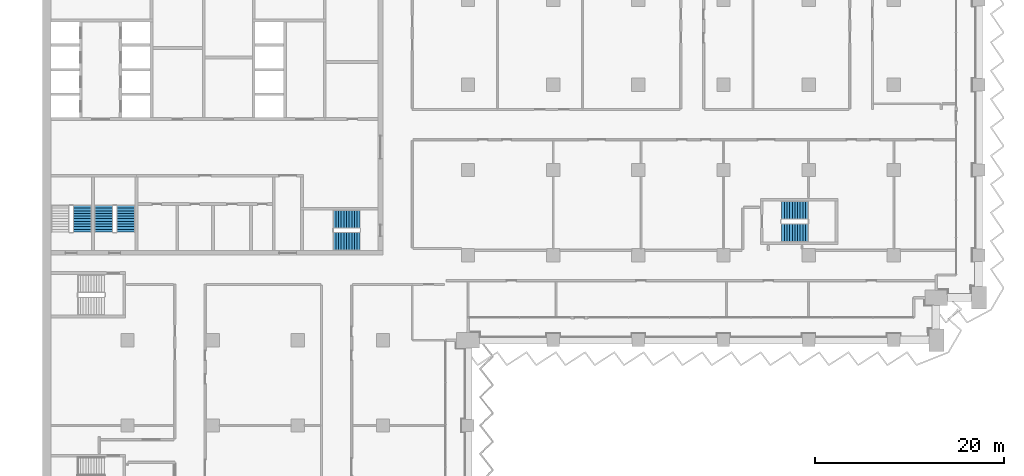
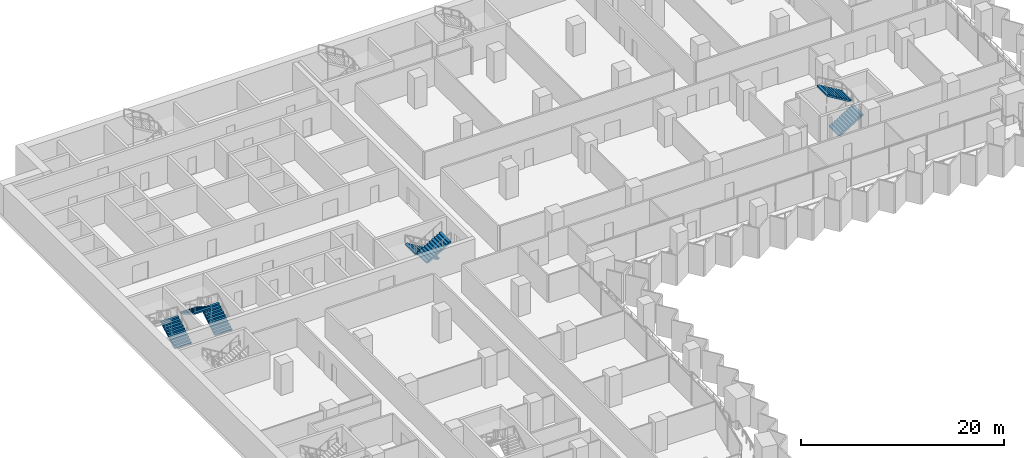
# One storey, part 21 of 29: 7 stair flights, 4 elements without a shape of their own.
"""IFC4 building model written with IfcOpenShell, lengths in metres."""

from ifc_helpers import new_model, si_unit, direction, frame, origin, place, context, subcontext, project, spatial, polyline, outline, extrude, material, type_object, element, aggregate, save


model = new_model("IFC4")

# Units and contexts
model_context = context("Model", 3, precision=1e-05, world=origin(), true_north=direction((0.0, 1.0)))
body_context = subcontext(model_context, "Body", "Model", "MODEL_VIEW")
ifc_project = project(units=[si_unit("LENGTHUNIT", "METRE"), si_unit("AREAUNIT", "SQUARE_METRE"), si_unit("VOLUMEUNIT", "CUBIC_METRE"), si_unit("PLANEANGLEUNIT", "RADIAN"), si_unit("MASSUNIT", "GRAM", prefix="KILO")], contexts=[model_context])

# Site, building, storey
site_placement = place(None, origin())
site = spatial("IfcSite", under=ifc_project, at=site_placement, CompositionType="ELEMENT")
building_placement = place(site_placement, origin())
building = spatial("IfcBuilding", under=site, at=building_placement, Name="Hunhe Ridgeline Campus", CompositionType="ELEMENT")
storey_placement = place(building_placement, frame((0.0, 0.0, 69.10009765625)))
storey = spatial("IfcBuildingStorey", under=building, at=storey_placement, Name="L16", CompositionType="ELEMENT", Elevation=69.10009765625)

# Stair, stair flights
ifc_material = material(Name="Concrete C40", Category="concrete")
stair_type = type_object("IfcStairType", Name="Reinforced concrete dog-leg stair 1950 Concrete C40", PredefinedType="HALF_TURN_STAIR", material=ifc_material)
stair_1_placement = place(storey_placement, origin())
stair_1 = element("IfcStair", 1, at=stair_1_placement, inside=storey, type_object=stair_type, Name="L16 S2", PredefinedType="HALF_TURN_STAIR")
stair_flight_type = type_object("IfcStairFlightType", Name="Reinforced concrete stair flight 1950 Concrete C40", PredefinedType="STRAIGHT", material=ifc_material)
stair_flight_1_placement = place(storey_placement, frame((33.550048828125, 66.77490234375, 0.0), z_axis=(0.0, 0.0, 1.0), x_axis=(-1.0, 0.0, 0.0)))
stair_flight_1 = element("IfcStairFlight", 2, at=stair_flight_1_placement, type_object=stair_flight_type, Name="ST2 flight 1", NumberOfRisers=11, NumberOfTreads=10, PredefinedType="STRAIGHT", RiserHeight=0.168181818, TreadLength=0.28, context=body_context, shape_type="SweptSolid", body=[
    extrude(outline(polyline([(0.0, 0.0), (0.0, 0.168212890625), (0.280029296875, 0.168212890625), (0.280029296875, 0.33642578125), (0.56005859375, 0.33642578125), (0.56005859375, 0.504638671875), (0.840087890625, 0.504638671875), (0.840087890625, 0.672607421875), (1.1201171875, 0.672607421875), (1.1201171875, 0.8408203125), (1.39990234375, 0.8408203125), (1.39990234375, 1.009033203125), (1.679931640625, 1.009033203125), (1.679931640625, 1.17724609375), (1.9599609375, 1.17724609375), (1.9599609375, 1.345458984375), (2.239990234375, 1.345458984375), (2.239990234375, 1.513671875), (2.52001953125, 1.513671875), (2.52001953125, 1.681884765625), (2.800048828125, 1.681884765625), (2.800048828125, 1.85009765625), (2.800048828125, 1.5068359375), (0.291015625, 0.0), (0.0, 0.0)])), frame((0.0, 0.97509765625, 0.0), z_axis=(0.0, -1.0, 0.0), x_axis=(1.0, 0.0, 0.0)), (0.0, 0.0, 1.0), 1.949951171875),
    extrude(outline(polyline([(0.030029296875, 0.030029296875), (0.030029296875, 0.13818359375), (0.31005859375, 0.13818359375), (0.31005859375, 0.306396484375), (0.590087890625, 0.306396484375), (0.590087890625, 0.474609375), (0.8701171875, 0.474609375), (0.8701171875, 0.642578125), (1.14990234375, 0.642578125), (1.14990234375, 0.810791015625), (1.429931640625, 0.810791015625), (1.429931640625, 0.97900390625), (1.7099609375, 0.97900390625), (1.7099609375, 1.147216796875), (1.989990234375, 1.147216796875), (1.989990234375, 1.3154296875), (2.27001953125, 1.3154296875), (2.27001953125, 1.483642578125), (2.550048828125, 1.483642578125), (2.550048828125, 1.65185546875), (2.77001953125, 1.65185546875), (2.77001953125, 1.52392578125), (0.28271484375, 0.030029296875), (0.030029296875, 0.030029296875)])), frame((0.0, -0.070068359375, 0.0), z_axis=(0.0, -1.0, 0.0), x_axis=(1.0, 0.0, 0.0)), (0.0, 0.0, 1.0), 0.019775390625),
    extrude(outline(polyline([(0.030029296875, 0.030029296875), (0.030029296875, 0.13818359375), (0.31005859375, 0.13818359375), (0.31005859375, 0.306396484375), (0.590087890625, 0.306396484375), (0.590087890625, 0.474609375), (0.8701171875, 0.474609375), (0.8701171875, 0.642578125), (1.14990234375, 0.642578125), (1.14990234375, 0.810791015625), (1.429931640625, 0.810791015625), (1.429931640625, 0.97900390625), (1.7099609375, 0.97900390625), (1.7099609375, 1.147216796875), (1.989990234375, 1.147216796875), (1.989990234375, 1.3154296875), (2.27001953125, 1.3154296875), (2.27001953125, 1.483642578125), (2.550048828125, 1.483642578125), (2.550048828125, 1.65185546875), (2.77001953125, 1.65185546875), (2.77001953125, 1.52392578125), (0.28271484375, 0.030029296875), (0.030029296875, 0.030029296875)])), frame((0.0, 0.010009765625, 0.0), z_axis=(0.0, -1.0, 0.0), x_axis=(1.0, 0.0, 0.0)), (0.0, 0.0, 1.0), 0.019775390625),
    extrude(outline(polyline([(0.030029296875, 0.030029296875), (0.030029296875, 0.13818359375), (0.31005859375, 0.13818359375), (0.31005859375, 0.306396484375), (0.590087890625, 0.306396484375), (0.590087890625, 0.474609375), (0.8701171875, 0.474609375), (0.8701171875, 0.642578125), (1.14990234375, 0.642578125), (1.14990234375, 0.810791015625), (1.429931640625, 0.810791015625), (1.429931640625, 0.97900390625), (1.7099609375, 0.97900390625), (1.7099609375, 1.147216796875), (1.989990234375, 1.147216796875), (1.989990234375, 1.3154296875), (2.27001953125, 1.3154296875), (2.27001953125, 1.483642578125), (2.550048828125, 1.483642578125), (2.550048828125, 1.65185546875), (2.77001953125, 1.65185546875), (2.77001953125, 1.52392578125), (0.28271484375, 0.030029296875), (0.030029296875, 0.030029296875)])), frame((0.0, 0.090087890625, 0.0), z_axis=(0.0, -1.0, 0.0), x_axis=(1.0, 0.0, 0.0)), (0.0, 0.0, 1.0), 0.019775390625),
])
stair_flight_2_placement = place(storey_placement, frame((30.75, 64.47509765625, 1.849853515625), z_axis=(0.0, 0.0, 1.0), x_axis=(1.0, 0.0, 0.0)))
stair_flight_2 = element("IfcStairFlight", 3, at=stair_flight_2_placement, type_object=stair_flight_type, Name="ST2 flight 2", NumberOfRisers=11, NumberOfTreads=10, PredefinedType="STRAIGHT", RiserHeight=0.168181818, TreadLength=0.28, context=body_context, shape_type="SweptSolid", body=[
    extrude(outline(polyline([(0.0, 0.0), (0.0, 0.168212890625), (0.280029296875, 0.168212890625), (0.280029296875, 0.33642578125), (0.56005859375, 0.33642578125), (0.56005859375, 0.504638671875), (0.840087890625, 0.504638671875), (0.840087890625, 0.672607421875), (1.1201171875, 0.672607421875), (1.1201171875, 0.8408203125), (1.39990234375, 0.8408203125), (1.39990234375, 1.009033203125), (1.679931640625, 1.009033203125), (1.679931640625, 1.17724609375), (1.9599609375, 1.17724609375), (1.9599609375, 1.345458984375), (2.239990234375, 1.345458984375), (2.239990234375, 1.513671875), (2.52001953125, 1.513671875), (2.52001953125, 1.681884765625), (2.800048828125, 1.681884765625), (2.800048828125, 1.85009765625), (2.800048828125, 1.5068359375), (0.291015625, 0.0), (0.0, 0.0)])), frame((0.0, 0.97509765625, 0.0), z_axis=(0.0, -1.0, 0.0), x_axis=(1.0, 0.0, 0.0)), (0.0, 0.0, 1.0), 1.949951171875),
    extrude(outline(polyline([(0.030029296875, 0.030029296875), (0.030029296875, 0.13818359375), (0.31005859375, 0.13818359375), (0.31005859375, 0.306396484375), (0.590087890625, 0.306396484375), (0.590087890625, 0.474609375), (0.8701171875, 0.474609375), (0.8701171875, 0.642578125), (1.14990234375, 0.642578125), (1.14990234375, 0.810791015625), (1.429931640625, 0.810791015625), (1.429931640625, 0.97900390625), (1.7099609375, 0.97900390625), (1.7099609375, 1.147216796875), (1.989990234375, 1.147216796875), (1.989990234375, 1.3154296875), (2.27001953125, 1.3154296875), (2.27001953125, 1.483642578125), (2.550048828125, 1.483642578125), (2.550048828125, 1.65185546875), (2.77001953125, 1.65185546875), (2.77001953125, 1.52392578125), (0.28271484375, 0.030029296875), (0.030029296875, 0.030029296875)])), frame((0.0, -0.070068359375, 0.0), z_axis=(0.0, -1.0, 0.0), x_axis=(1.0, 0.0, 0.0)), (0.0, 0.0, 1.0), 0.019775390625),
    extrude(outline(polyline([(0.030029296875, 0.030029296875), (0.030029296875, 0.13818359375), (0.31005859375, 0.13818359375), (0.31005859375, 0.306396484375), (0.590087890625, 0.306396484375), (0.590087890625, 0.474609375), (0.8701171875, 0.474609375), (0.8701171875, 0.642578125), (1.14990234375, 0.642578125), (1.14990234375, 0.810791015625), (1.429931640625, 0.810791015625), (1.429931640625, 0.97900390625), (1.7099609375, 0.97900390625), (1.7099609375, 1.147216796875), (1.989990234375, 1.147216796875), (1.989990234375, 1.3154296875), (2.27001953125, 1.3154296875), (2.27001953125, 1.483642578125), (2.550048828125, 1.483642578125), (2.550048828125, 1.65185546875), (2.77001953125, 1.65185546875), (2.77001953125, 1.52392578125), (0.28271484375, 0.030029296875), (0.030029296875, 0.030029296875)])), frame((0.0, 0.010009765625, 0.0), z_axis=(0.0, -1.0, 0.0), x_axis=(1.0, 0.0, 0.0)), (0.0, 0.0, 1.0), 0.019775390625),
    extrude(outline(polyline([(0.030029296875, 0.030029296875), (0.030029296875, 0.13818359375), (0.31005859375, 0.13818359375), (0.31005859375, 0.306396484375), (0.590087890625, 0.306396484375), (0.590087890625, 0.474609375), (0.8701171875, 0.474609375), (0.8701171875, 0.642578125), (1.14990234375, 0.642578125), (1.14990234375, 0.810791015625), (1.429931640625, 0.810791015625), (1.429931640625, 0.97900390625), (1.7099609375, 0.97900390625), (1.7099609375, 1.147216796875), (1.989990234375, 1.147216796875), (1.989990234375, 1.3154296875), (2.27001953125, 1.3154296875), (2.27001953125, 1.483642578125), (2.550048828125, 1.483642578125), (2.550048828125, 1.65185546875), (2.77001953125, 1.65185546875), (2.77001953125, 1.52392578125), (0.28271484375, 0.030029296875), (0.030029296875, 0.030029296875)])), frame((0.0, 0.090087890625, 0.0), z_axis=(0.0, -1.0, 0.0), x_axis=(1.0, 0.0, 0.0)), (0.0, 0.0, 1.0), 0.019775390625),
])
aggregate(stair_1, [stair_flight_1, stair_flight_2])

# Stair, stair flight
stair_2_placement = place(storey_placement, origin())
stair_2 = element("IfcStair", 4, at=stair_2_placement, inside=storey, type_object=stair_type, Name="L16 S3", PredefinedType="HALF_TURN_STAIR")
stair_flight_3_placement = place(storey_placement, frame((4.22509765625, 65.449951171875, 0.0), z_axis=(0.0, 0.0, 1.0), x_axis=(0.0, 1.0, 0.0)))
stair_flight_3 = element("IfcStairFlight", 5, at=stair_flight_3_placement, type_object=stair_flight_type, Name="ST3 flight 1", NumberOfRisers=11, NumberOfTreads=10, PredefinedType="STRAIGHT", RiserHeight=0.168181818, TreadLength=0.28, context=body_context, shape_type="SweptSolid", body=[
    extrude(outline(polyline([(0.0, 0.0), (0.0, 0.168212890625), (0.280029296875, 0.168212890625), (0.280029296875, 0.33642578125), (0.56005859375, 0.33642578125), (0.56005859375, 0.504638671875), (0.840087890625, 0.504638671875), (0.840087890625, 0.672607421875), (1.1201171875, 0.672607421875), (1.1201171875, 0.8408203125), (1.39990234375, 0.8408203125), (1.39990234375, 1.009033203125), (1.679931640625, 1.009033203125), (1.679931640625, 1.17724609375), (1.9599609375, 1.17724609375), (1.9599609375, 1.345458984375), (2.239990234375, 1.345458984375), (2.239990234375, 1.513671875), (2.52001953125, 1.513671875), (2.52001953125, 1.681884765625), (2.800048828125, 1.681884765625), (2.800048828125, 1.85009765625), (2.800048828125, 1.5068359375), (0.291015625, 0.0), (0.0, 0.0)])), frame((0.0, 0.97509765625, 0.0), z_axis=(0.0, -1.0, 0.0), x_axis=(1.0, 0.0, 0.0)), (0.0, 0.0, 1.0), 1.949951171875),
    extrude(outline(polyline([(0.030029296875, 0.030029296875), (0.030029296875, 0.13818359375), (0.31005859375, 0.13818359375), (0.31005859375, 0.306396484375), (0.590087890625, 0.306396484375), (0.590087890625, 0.474609375), (0.8701171875, 0.474609375), (0.8701171875, 0.642578125), (1.14990234375, 0.642578125), (1.14990234375, 0.810791015625), (1.429931640625, 0.810791015625), (1.429931640625, 0.97900390625), (1.7099609375, 0.97900390625), (1.7099609375, 1.147216796875), (1.989990234375, 1.147216796875), (1.989990234375, 1.3154296875), (2.27001953125, 1.3154296875), (2.27001953125, 1.483642578125), (2.550048828125, 1.483642578125), (2.550048828125, 1.65185546875), (2.77001953125, 1.65185546875), (2.77001953125, 1.52392578125), (0.28271484375, 0.030029296875), (0.030029296875, 0.030029296875)])), frame((0.0, -0.070068359375, 0.0), z_axis=(0.0, -1.0, 0.0), x_axis=(1.0, 0.0, 0.0)), (0.0, 0.0, 1.0), 0.019775390625),
    extrude(outline(polyline([(0.030029296875, 0.030029296875), (0.030029296875, 0.13818359375), (0.31005859375, 0.13818359375), (0.31005859375, 0.306396484375), (0.590087890625, 0.306396484375), (0.590087890625, 0.474609375), (0.8701171875, 0.474609375), (0.8701171875, 0.642578125), (1.14990234375, 0.642578125), (1.14990234375, 0.810791015625), (1.429931640625, 0.810791015625), (1.429931640625, 0.97900390625), (1.7099609375, 0.97900390625), (1.7099609375, 1.147216796875), (1.989990234375, 1.147216796875), (1.989990234375, 1.3154296875), (2.27001953125, 1.3154296875), (2.27001953125, 1.483642578125), (2.550048828125, 1.483642578125), (2.550048828125, 1.65185546875), (2.77001953125, 1.65185546875), (2.77001953125, 1.52392578125), (0.28271484375, 0.030029296875), (0.030029296875, 0.030029296875)])), frame((0.0, 0.010009765625, 0.0), z_axis=(0.0, -1.0, 0.0), x_axis=(1.0, 0.0, 0.0)), (0.0, 0.0, 1.0), 0.019775390625),
    extrude(outline(polyline([(0.030029296875, 0.030029296875), (0.030029296875, 0.13818359375), (0.31005859375, 0.13818359375), (0.31005859375, 0.306396484375), (0.590087890625, 0.306396484375), (0.590087890625, 0.474609375), (0.8701171875, 0.474609375), (0.8701171875, 0.642578125), (1.14990234375, 0.642578125), (1.14990234375, 0.810791015625), (1.429931640625, 0.810791015625), (1.429931640625, 0.97900390625), (1.7099609375, 0.97900390625), (1.7099609375, 1.147216796875), (1.989990234375, 1.147216796875), (1.989990234375, 1.3154296875), (2.27001953125, 1.3154296875), (2.27001953125, 1.483642578125), (2.550048828125, 1.483642578125), (2.550048828125, 1.65185546875), (2.77001953125, 1.65185546875), (2.77001953125, 1.52392578125), (0.28271484375, 0.030029296875), (0.030029296875, 0.030029296875)])), frame((0.0, 0.090087890625, 0.0), z_axis=(0.0, -1.0, 0.0), x_axis=(1.0, 0.0, 0.0)), (0.0, 0.0, 1.0), 0.019775390625),
])
aggregate(stair_2, [stair_flight_3])

# Stair, stair flights
stair_3_placement = place(storey_placement, origin())
stair_3 = element("IfcStair", 6, at=stair_3_placement, inside=storey, type_object=stair_type, Name="L16 S4", PredefinedType="HALF_TURN_STAIR")
stair_flight_4_placement = place(storey_placement, frame((8.824951171875, 65.449951171875, 0.0), z_axis=(0.0, 0.0, 1.0), x_axis=(0.0, 1.0, 0.0)))
stair_flight_4 = element("IfcStairFlight", 7, at=stair_flight_4_placement, type_object=stair_flight_type, Name="ST4 flight 1", NumberOfRisers=11, NumberOfTreads=10, PredefinedType="STRAIGHT", RiserHeight=0.168181818, TreadLength=0.28, context=body_context, shape_type="SweptSolid", body=[
    extrude(outline(polyline([(0.0, 0.0), (0.0, 0.168212890625), (0.280029296875, 0.168212890625), (0.280029296875, 0.33642578125), (0.56005859375, 0.33642578125), (0.56005859375, 0.504638671875), (0.840087890625, 0.504638671875), (0.840087890625, 0.672607421875), (1.1201171875, 0.672607421875), (1.1201171875, 0.8408203125), (1.39990234375, 0.8408203125), (1.39990234375, 1.009033203125), (1.679931640625, 1.009033203125), (1.679931640625, 1.17724609375), (1.9599609375, 1.17724609375), (1.9599609375, 1.345458984375), (2.239990234375, 1.345458984375), (2.239990234375, 1.513671875), (2.52001953125, 1.513671875), (2.52001953125, 1.681884765625), (2.800048828125, 1.681884765625), (2.800048828125, 1.85009765625), (2.800048828125, 1.5068359375), (0.291015625, 0.0), (0.0, 0.0)])), frame((0.0, 0.97509765625, 0.0), z_axis=(0.0, -1.0, 0.0), x_axis=(1.0, 0.0, 0.0)), (0.0, 0.0, 1.0), 1.949951171875),
    extrude(outline(polyline([(0.030029296875, 0.030029296875), (0.030029296875, 0.13818359375), (0.31005859375, 0.13818359375), (0.31005859375, 0.306396484375), (0.590087890625, 0.306396484375), (0.590087890625, 0.474609375), (0.8701171875, 0.474609375), (0.8701171875, 0.642578125), (1.14990234375, 0.642578125), (1.14990234375, 0.810791015625), (1.429931640625, 0.810791015625), (1.429931640625, 0.97900390625), (1.7099609375, 0.97900390625), (1.7099609375, 1.147216796875), (1.989990234375, 1.147216796875), (1.989990234375, 1.3154296875), (2.27001953125, 1.3154296875), (2.27001953125, 1.483642578125), (2.550048828125, 1.483642578125), (2.550048828125, 1.65185546875), (2.77001953125, 1.65185546875), (2.77001953125, 1.52392578125), (0.28271484375, 0.030029296875), (0.030029296875, 0.030029296875)])), frame((0.0, -0.070068359375, 0.0), z_axis=(0.0, -1.0, 0.0), x_axis=(1.0, 0.0, 0.0)), (0.0, 0.0, 1.0), 0.019775390625),
    extrude(outline(polyline([(0.030029296875, 0.030029296875), (0.030029296875, 0.13818359375), (0.31005859375, 0.13818359375), (0.31005859375, 0.306396484375), (0.590087890625, 0.306396484375), (0.590087890625, 0.474609375), (0.8701171875, 0.474609375), (0.8701171875, 0.642578125), (1.14990234375, 0.642578125), (1.14990234375, 0.810791015625), (1.429931640625, 0.810791015625), (1.429931640625, 0.97900390625), (1.7099609375, 0.97900390625), (1.7099609375, 1.147216796875), (1.989990234375, 1.147216796875), (1.989990234375, 1.3154296875), (2.27001953125, 1.3154296875), (2.27001953125, 1.483642578125), (2.550048828125, 1.483642578125), (2.550048828125, 1.65185546875), (2.77001953125, 1.65185546875), (2.77001953125, 1.52392578125), (0.28271484375, 0.030029296875), (0.030029296875, 0.030029296875)])), frame((0.0, 0.010009765625, 0.0), z_axis=(0.0, -1.0, 0.0), x_axis=(1.0, 0.0, 0.0)), (0.0, 0.0, 1.0), 0.019775390625),
    extrude(outline(polyline([(0.030029296875, 0.030029296875), (0.030029296875, 0.13818359375), (0.31005859375, 0.13818359375), (0.31005859375, 0.306396484375), (0.590087890625, 0.306396484375), (0.590087890625, 0.474609375), (0.8701171875, 0.474609375), (0.8701171875, 0.642578125), (1.14990234375, 0.642578125), (1.14990234375, 0.810791015625), (1.429931640625, 0.810791015625), (1.429931640625, 0.97900390625), (1.7099609375, 0.97900390625), (1.7099609375, 1.147216796875), (1.989990234375, 1.147216796875), (1.989990234375, 1.3154296875), (2.27001953125, 1.3154296875), (2.27001953125, 1.483642578125), (2.550048828125, 1.483642578125), (2.550048828125, 1.65185546875), (2.77001953125, 1.65185546875), (2.77001953125, 1.52392578125), (0.28271484375, 0.030029296875), (0.030029296875, 0.030029296875)])), frame((0.0, 0.090087890625, 0.0), z_axis=(0.0, -1.0, 0.0), x_axis=(1.0, 0.0, 0.0)), (0.0, 0.0, 1.0), 0.019775390625),
])
stair_flight_5_placement = place(storey_placement, frame((6.47509765625, 68.25, 1.849853515625), z_axis=(0.0, 0.0, 1.0), x_axis=(0.0, -1.0, 0.0)))
stair_flight_5 = element("IfcStairFlight", 8, at=stair_flight_5_placement, type_object=stair_flight_type, Name="ST4 flight 2", NumberOfRisers=11, NumberOfTreads=10, PredefinedType="STRAIGHT", RiserHeight=0.168181818, TreadLength=0.28, context=body_context, shape_type="SweptSolid", body=[
    extrude(outline(polyline([(0.0, 0.0), (0.0, 0.168212890625), (0.280029296875, 0.168212890625), (0.280029296875, 0.33642578125), (0.56005859375, 0.33642578125), (0.56005859375, 0.504638671875), (0.840087890625, 0.504638671875), (0.840087890625, 0.672607421875), (1.1201171875, 0.672607421875), (1.1201171875, 0.8408203125), (1.39990234375, 0.8408203125), (1.39990234375, 1.009033203125), (1.679931640625, 1.009033203125), (1.679931640625, 1.17724609375), (1.9599609375, 1.17724609375), (1.9599609375, 1.345458984375), (2.239990234375, 1.345458984375), (2.239990234375, 1.513671875), (2.52001953125, 1.513671875), (2.52001953125, 1.681884765625), (2.800048828125, 1.681884765625), (2.800048828125, 1.85009765625), (2.800048828125, 1.5068359375), (0.291015625, 0.0), (0.0, 0.0)])), frame((0.0, 0.97509765625, 0.0), z_axis=(0.0, -1.0, 0.0), x_axis=(1.0, 0.0, 0.0)), (0.0, 0.0, 1.0), 1.949951171875),
    extrude(outline(polyline([(0.030029296875, 0.030029296875), (0.030029296875, 0.13818359375), (0.31005859375, 0.13818359375), (0.31005859375, 0.306396484375), (0.590087890625, 0.306396484375), (0.590087890625, 0.474609375), (0.8701171875, 0.474609375), (0.8701171875, 0.642578125), (1.14990234375, 0.642578125), (1.14990234375, 0.810791015625), (1.429931640625, 0.810791015625), (1.429931640625, 0.97900390625), (1.7099609375, 0.97900390625), (1.7099609375, 1.147216796875), (1.989990234375, 1.147216796875), (1.989990234375, 1.3154296875), (2.27001953125, 1.3154296875), (2.27001953125, 1.483642578125), (2.550048828125, 1.483642578125), (2.550048828125, 1.65185546875), (2.77001953125, 1.65185546875), (2.77001953125, 1.52392578125), (0.28271484375, 0.030029296875), (0.030029296875, 0.030029296875)])), frame((0.0, -0.070068359375, 0.0), z_axis=(0.0, -1.0, 0.0), x_axis=(1.0, 0.0, 0.0)), (0.0, 0.0, 1.0), 0.019775390625),
    extrude(outline(polyline([(0.030029296875, 0.030029296875), (0.030029296875, 0.13818359375), (0.31005859375, 0.13818359375), (0.31005859375, 0.306396484375), (0.590087890625, 0.306396484375), (0.590087890625, 0.474609375), (0.8701171875, 0.474609375), (0.8701171875, 0.642578125), (1.14990234375, 0.642578125), (1.14990234375, 0.810791015625), (1.429931640625, 0.810791015625), (1.429931640625, 0.97900390625), (1.7099609375, 0.97900390625), (1.7099609375, 1.147216796875), (1.989990234375, 1.147216796875), (1.989990234375, 1.3154296875), (2.27001953125, 1.3154296875), (2.27001953125, 1.483642578125), (2.550048828125, 1.483642578125), (2.550048828125, 1.65185546875), (2.77001953125, 1.65185546875), (2.77001953125, 1.52392578125), (0.28271484375, 0.030029296875), (0.030029296875, 0.030029296875)])), frame((0.0, 0.010009765625, 0.0), z_axis=(0.0, -1.0, 0.0), x_axis=(1.0, 0.0, 0.0)), (0.0, 0.0, 1.0), 0.019775390625),
    extrude(outline(polyline([(0.030029296875, 0.030029296875), (0.030029296875, 0.13818359375), (0.31005859375, 0.13818359375), (0.31005859375, 0.306396484375), (0.590087890625, 0.306396484375), (0.590087890625, 0.474609375), (0.8701171875, 0.474609375), (0.8701171875, 0.642578125), (1.14990234375, 0.642578125), (1.14990234375, 0.810791015625), (1.429931640625, 0.810791015625), (1.429931640625, 0.97900390625), (1.7099609375, 0.97900390625), (1.7099609375, 1.147216796875), (1.989990234375, 1.147216796875), (1.989990234375, 1.3154296875), (2.27001953125, 1.3154296875), (2.27001953125, 1.483642578125), (2.550048828125, 1.483642578125), (2.550048828125, 1.65185546875), (2.77001953125, 1.65185546875), (2.77001953125, 1.52392578125), (0.28271484375, 0.030029296875), (0.030029296875, 0.030029296875)])), frame((0.0, 0.090087890625, 0.0), z_axis=(0.0, -1.0, 0.0), x_axis=(1.0, 0.0, 0.0)), (0.0, 0.0, 1.0), 0.019775390625),
])
aggregate(stair_3, [stair_flight_4, stair_flight_5])

stair_4_placement = place(storey_placement, origin())
stair_4 = element("IfcStair", 9, at=stair_4_placement, inside=storey, type_object=stair_type, Name="L16 E5", PredefinedType="HALF_TURN_STAIR")
stair_flight_6_placement = place(storey_placement, frame((78.14990234375, 65.375, 0.0), z_axis=(0.0, 0.0, 1.0), x_axis=(1.0, 0.0, 0.0)))
stair_flight_6 = element("IfcStairFlight", 10, at=stair_flight_6_placement, type_object=stair_flight_type, Name="ST10 flight 1", NumberOfRisers=11, NumberOfTreads=10, PredefinedType="STRAIGHT", RiserHeight=0.168181818, TreadLength=0.28, context=body_context, shape_type="SweptSolid", body=[
    extrude(outline(polyline([(0.0, 0.0), (0.0, 0.168212890625), (0.280029296875, 0.168212890625), (0.280029296875, 0.33642578125), (0.56005859375, 0.33642578125), (0.56005859375, 0.504638671875), (0.840087890625, 0.504638671875), (0.840087890625, 0.672607421875), (1.1201171875, 0.672607421875), (1.1201171875, 0.8408203125), (1.39990234375, 0.8408203125), (1.39990234375, 1.009033203125), (1.679931640625, 1.009033203125), (1.679931640625, 1.17724609375), (1.9599609375, 1.17724609375), (1.9599609375, 1.345458984375), (2.239990234375, 1.345458984375), (2.239990234375, 1.513671875), (2.52001953125, 1.513671875), (2.52001953125, 1.681884765625), (2.800048828125, 1.681884765625), (2.800048828125, 1.85009765625), (2.800048828125, 1.5068359375), (0.291015625, 0.0), (0.0, 0.0)])), frame((0.0, 0.97509765625, 0.0), z_axis=(0.0, -1.0, 0.0), x_axis=(1.0, 0.0, 0.0)), (0.0, 0.0, 1.0), 1.949951171875),
    extrude(outline(polyline([(0.030029296875, 0.030029296875), (0.030029296875, 0.13818359375), (0.31005859375, 0.13818359375), (0.31005859375, 0.306396484375), (0.590087890625, 0.306396484375), (0.590087890625, 0.474609375), (0.8701171875, 0.474609375), (0.8701171875, 0.642578125), (1.14990234375, 0.642578125), (1.14990234375, 0.810791015625), (1.429931640625, 0.810791015625), (1.429931640625, 0.97900390625), (1.7099609375, 0.97900390625), (1.7099609375, 1.147216796875), (1.989990234375, 1.147216796875), (1.989990234375, 1.3154296875), (2.27001953125, 1.3154296875), (2.27001953125, 1.483642578125), (2.550048828125, 1.483642578125), (2.550048828125, 1.65185546875), (2.77001953125, 1.65185546875), (2.77001953125, 1.52392578125), (0.28271484375, 0.030029296875), (0.030029296875, 0.030029296875)])), frame((0.0, -0.070068359375, 0.0), z_axis=(0.0, -1.0, 0.0), x_axis=(1.0, 0.0, 0.0)), (0.0, 0.0, 1.0), 0.019775390625),
    extrude(outline(polyline([(0.030029296875, 0.030029296875), (0.030029296875, 0.13818359375), (0.31005859375, 0.13818359375), (0.31005859375, 0.306396484375), (0.590087890625, 0.306396484375), (0.590087890625, 0.474609375), (0.8701171875, 0.474609375), (0.8701171875, 0.642578125), (1.14990234375, 0.642578125), (1.14990234375, 0.810791015625), (1.429931640625, 0.810791015625), (1.429931640625, 0.97900390625), (1.7099609375, 0.97900390625), (1.7099609375, 1.147216796875), (1.989990234375, 1.147216796875), (1.989990234375, 1.3154296875), (2.27001953125, 1.3154296875), (2.27001953125, 1.483642578125), (2.550048828125, 1.483642578125), (2.550048828125, 1.65185546875), (2.77001953125, 1.65185546875), (2.77001953125, 1.52392578125), (0.28271484375, 0.030029296875), (0.030029296875, 0.030029296875)])), frame((0.0, 0.010009765625, 0.0), z_axis=(0.0, -1.0, 0.0), x_axis=(1.0, 0.0, 0.0)), (0.0, 0.0, 1.0), 0.019775390625),
    extrude(outline(polyline([(0.030029296875, 0.030029296875), (0.030029296875, 0.13818359375), (0.31005859375, 0.13818359375), (0.31005859375, 0.306396484375), (0.590087890625, 0.306396484375), (0.590087890625, 0.474609375), (0.8701171875, 0.474609375), (0.8701171875, 0.642578125), (1.14990234375, 0.642578125), (1.14990234375, 0.810791015625), (1.429931640625, 0.810791015625), (1.429931640625, 0.97900390625), (1.7099609375, 0.97900390625), (1.7099609375, 1.147216796875), (1.989990234375, 1.147216796875), (1.989990234375, 1.3154296875), (2.27001953125, 1.3154296875), (2.27001953125, 1.483642578125), (2.550048828125, 1.483642578125), (2.550048828125, 1.65185546875), (2.77001953125, 1.65185546875), (2.77001953125, 1.52392578125), (0.28271484375, 0.030029296875), (0.030029296875, 0.030029296875)])), frame((0.0, 0.090087890625, 0.0), z_axis=(0.0, -1.0, 0.0), x_axis=(1.0, 0.0, 0.0)), (0.0, 0.0, 1.0), 0.019775390625),
])
stair_flight_7_placement = place(storey_placement, frame((80.949951171875, 67.72509765625, 1.849853515625), z_axis=(0.0, 0.0, 1.0), x_axis=(-1.0, 0.0, 0.0)))
stair_flight_7 = element("IfcStairFlight", 11, at=stair_flight_7_placement, type_object=stair_flight_type, Name="ST10 flight 2", NumberOfRisers=11, NumberOfTreads=10, PredefinedType="STRAIGHT", RiserHeight=0.168181818, TreadLength=0.28, context=body_context, shape_type="SweptSolid", body=[
    extrude(outline(polyline([(0.0, 0.0), (0.0, 0.168212890625), (0.280029296875, 0.168212890625), (0.280029296875, 0.33642578125), (0.56005859375, 0.33642578125), (0.56005859375, 0.504638671875), (0.840087890625, 0.504638671875), (0.840087890625, 0.672607421875), (1.1201171875, 0.672607421875), (1.1201171875, 0.8408203125), (1.39990234375, 0.8408203125), (1.39990234375, 1.009033203125), (1.679931640625, 1.009033203125), (1.679931640625, 1.17724609375), (1.9599609375, 1.17724609375), (1.9599609375, 1.345458984375), (2.239990234375, 1.345458984375), (2.239990234375, 1.513671875), (2.52001953125, 1.513671875), (2.52001953125, 1.681884765625), (2.800048828125, 1.681884765625), (2.800048828125, 1.85009765625), (2.800048828125, 1.5068359375), (0.291015625, 0.0), (0.0, 0.0)])), frame((0.0, 0.97509765625, 0.0), z_axis=(0.0, -1.0, 0.0), x_axis=(1.0, 0.0, 0.0)), (0.0, 0.0, 1.0), 1.949951171875),
    extrude(outline(polyline([(0.030029296875, 0.030029296875), (0.030029296875, 0.13818359375), (0.31005859375, 0.13818359375), (0.31005859375, 0.306396484375), (0.590087890625, 0.306396484375), (0.590087890625, 0.474609375), (0.8701171875, 0.474609375), (0.8701171875, 0.642578125), (1.14990234375, 0.642578125), (1.14990234375, 0.810791015625), (1.429931640625, 0.810791015625), (1.429931640625, 0.97900390625), (1.7099609375, 0.97900390625), (1.7099609375, 1.147216796875), (1.989990234375, 1.147216796875), (1.989990234375, 1.3154296875), (2.27001953125, 1.3154296875), (2.27001953125, 1.483642578125), (2.550048828125, 1.483642578125), (2.550048828125, 1.65185546875), (2.77001953125, 1.65185546875), (2.77001953125, 1.52392578125), (0.28271484375, 0.030029296875), (0.030029296875, 0.030029296875)])), frame((0.0, -0.070068359375, 0.0), z_axis=(0.0, -1.0, 0.0), x_axis=(1.0, 0.0, 0.0)), (0.0, 0.0, 1.0), 0.019775390625),
    extrude(outline(polyline([(0.030029296875, 0.030029296875), (0.030029296875, 0.13818359375), (0.31005859375, 0.13818359375), (0.31005859375, 0.306396484375), (0.590087890625, 0.306396484375), (0.590087890625, 0.474609375), (0.8701171875, 0.474609375), (0.8701171875, 0.642578125), (1.14990234375, 0.642578125), (1.14990234375, 0.810791015625), (1.429931640625, 0.810791015625), (1.429931640625, 0.97900390625), (1.7099609375, 0.97900390625), (1.7099609375, 1.147216796875), (1.989990234375, 1.147216796875), (1.989990234375, 1.3154296875), (2.27001953125, 1.3154296875), (2.27001953125, 1.483642578125), (2.550048828125, 1.483642578125), (2.550048828125, 1.65185546875), (2.77001953125, 1.65185546875), (2.77001953125, 1.52392578125), (0.28271484375, 0.030029296875), (0.030029296875, 0.030029296875)])), frame((0.0, 0.010009765625, 0.0), z_axis=(0.0, -1.0, 0.0), x_axis=(1.0, 0.0, 0.0)), (0.0, 0.0, 1.0), 0.019775390625),
    extrude(outline(polyline([(0.030029296875, 0.030029296875), (0.030029296875, 0.13818359375), (0.31005859375, 0.13818359375), (0.31005859375, 0.306396484375), (0.590087890625, 0.306396484375), (0.590087890625, 0.474609375), (0.8701171875, 0.474609375), (0.8701171875, 0.642578125), (1.14990234375, 0.642578125), (1.14990234375, 0.810791015625), (1.429931640625, 0.810791015625), (1.429931640625, 0.97900390625), (1.7099609375, 0.97900390625), (1.7099609375, 1.147216796875), (1.989990234375, 1.147216796875), (1.989990234375, 1.3154296875), (2.27001953125, 1.3154296875), (2.27001953125, 1.483642578125), (2.550048828125, 1.483642578125), (2.550048828125, 1.65185546875), (2.77001953125, 1.65185546875), (2.77001953125, 1.52392578125), (0.28271484375, 0.030029296875), (0.030029296875, 0.030029296875)])), frame((0.0, 0.090087890625, 0.0), z_axis=(0.0, -1.0, 0.0), x_axis=(1.0, 0.0, 0.0)), (0.0, 0.0, 1.0), 0.019775390625),
])
aggregate(stair_4, [stair_flight_6, stair_flight_7])

save(model, "model.ifc")
